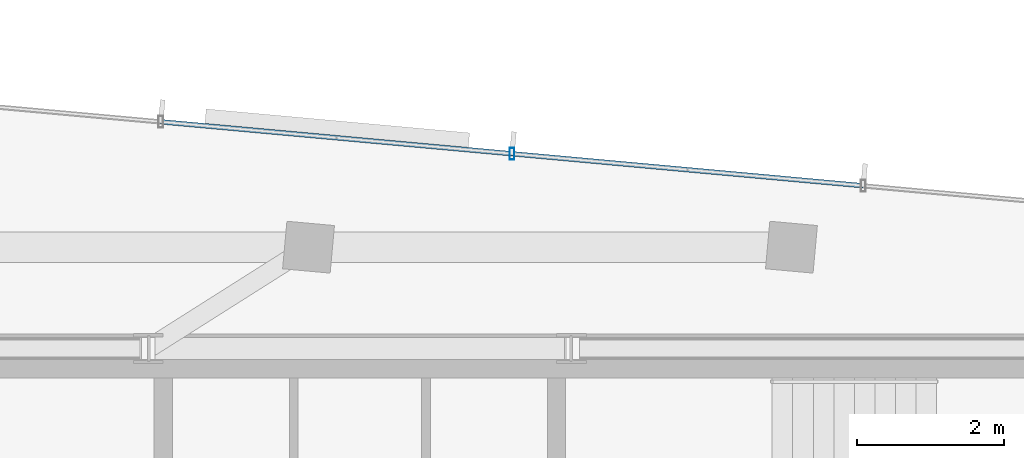
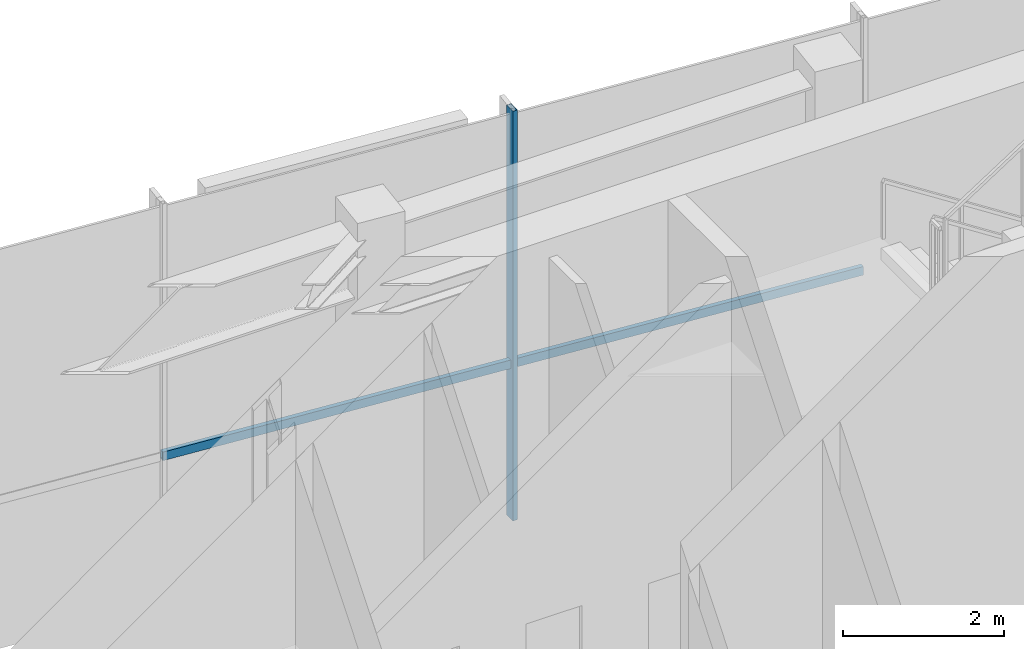
# One storey, part 11 of 19: 3 members, 1 element without a shape of its own.
"""IFC4 building model written with IfcOpenShell, lengths in metres."""

from ifc_helpers import new_model, si_unit, direction, frame, origin, origin_2d, place, context, subcontext, project, spatial, hollow_rectangle, extrude, source, transform, mapped, material, material_profile, profile_set, type_object, type_shapes, element, aggregate, save


model = new_model("IFC4")

# Units and contexts
model_context = context("Model", 3, precision=1e-05, world=origin(), true_north=direction((0.0, 1.0)))
body_context = subcontext(model_context, "Body", "Model", "MODEL_VIEW")
ifc_project = project(units=[si_unit("LENGTHUNIT", "METRE"), si_unit("AREAUNIT", "SQUARE_METRE"), si_unit("VOLUMEUNIT", "CUBIC_METRE"), si_unit("PLANEANGLEUNIT", "RADIAN"), si_unit("MASSUNIT", "GRAM", prefix="KILO")], contexts=[model_context])

# Site, building, storey
site_placement = place(None, origin())
site = spatial("IfcSite", under=ifc_project, at=site_placement, CompositionType="ELEMENT")
building_placement = place(site_placement, origin())
building = spatial("IfcBuilding", under=site, at=building_placement, Name="Astriad Promenade Condominiums", CompositionType="ELEMENT")
storey_placement = place(building_placement, frame((0.0, 0.0, 283.800048828125)))
storey = spatial("IfcBuildingStorey", under=building, at=storey_placement, Name="L79", CompositionType="ELEMENT", Elevation=283.800048828125)

# Curtain wall, members
ifc_material_1 = material(Name="Anodised aluminium Black Dark Glass Unitised", Category="aluminium")
curtain_wall_type = type_object("IfcCurtainWallType", Name="CW-TMD-LANTERN", PredefinedType="USERDEFINED", material=ifc_material_1)
curtain_wall_placement = place(storey_placement, origin())
curtain_wall = element("IfcCurtainWall", 1, at=curtain_wall_placement, inside=storey, type_object=curtain_wall_type, Name="CW-CRN-L79-08", ObjectType="UNITISED_CURTAIN_WALL", PredefinedType="USERDEFINED")
ifc_material_2 = material(Name="Anodised aluminium 6063-T6 Black", Category="aluminium")
ifc_material_profile_1 = material_profile(ifc_material_2, hollow_rectangle(XDim=0.06494140625, YDim=0.159912109375, WallThickness=0.00390625, at=origin_2d()), Name="ALU-MUL-65X160")
ifc_profile_set_1 = profile_set([ifc_material_profile_1], Name="Anodised aluminium 6063-T6 Black")
member_type_1 = type_object("IfcMemberType", Name="MUL-ALU-MUL-65X160", PredefinedType="MULLION", material=ifc_profile_set_1)
shared_shape_1 = source(origin(), body_context, "Body", "SweptSolid", [
    extrude(hollow_rectangle(XDim=0.06494140625, YDim=0.159912109375, WallThickness=0.00390625, at=origin_2d()), origin(), (0.0, 0.0, 1.0), 6.219970703125),
])
type_shapes(member_type_1, [shared_shape_1])
member_1_placement = place(storey_placement, frame((38.06982421875, 26.651611328125, 0.0), z_axis=(0.0, 0.0, 1.0), x_axis=(1.0, 0.0, 0.0)))
member_1 = element("IfcMember", 2, at=member_1_placement, type_object=member_type_1, Name="CW-CRN-L79-08-MUL-04", PredefinedType="MULLION", context=body_context, shape_type="MappedRepresentation", body=[
    mapped(shared_shape_1, transform((0.0, 0.0, 0.0), scale=1.0)),
])
ifc_material_profile_2 = material_profile(ifc_material_2, hollow_rectangle(XDim=0.06494140625, YDim=0.1298828125, WallThickness=0.00390625, at=origin_2d()), Name="ALU-TRN-65X130")
ifc_profile_set_2 = profile_set([ifc_material_profile_2], Name="Anodised aluminium 6063-T6 Black")
member_type_2 = type_object("IfcMemberType", Name="TRN-ALU-TRN-65X130", PredefinedType="USERDEFINED", material=ifc_profile_set_2)
shared_shape_2 = source(origin(), body_context, "Body", "SweptSolid", [
    extrude(hollow_rectangle(XDim=0.06494140625, YDim=0.1298828125, WallThickness=0.00390625, at=origin_2d()), origin(), (0.0, 0.0, 1.0), 4.800048828125),
])
type_shapes(member_type_2, [shared_shape_2])
member_2_placement = place(storey_placement, frame((33.28955078125, 27.086669921875, 2.349853515625), z_axis=(0.995884029465, -0.09063663639, 0.0), x_axis=(0.09063663639, 0.995884029465, 0.0)))
member_2 = element("IfcMember", 3, at=member_2_placement, type_object=member_type_2, Name="CW-CRN-L79-08-TRN-03-0", ObjectType="TRANSOM", PredefinedType="USERDEFINED", context=body_context, shape_type="MappedRepresentation", body=[
    mapped(shared_shape_2, transform((0.0, 0.0, 0.0), scale=1.0)),
])
member_3_placement = place(storey_placement, frame((38.06982421875, 26.651611328125, 2.349853515625), z_axis=(0.995884029465, -0.09063663639, 0.0), x_axis=(0.09063663639, 0.995884029465, 0.0)))
member_3 = element("IfcMember", 4, at=member_3_placement, type_object=member_type_2, Name="CW-CRN-L79-08-TRN-04-0", ObjectType="TRANSOM", PredefinedType="USERDEFINED", context=body_context, shape_type="MappedRepresentation", body=[
    mapped(shared_shape_2, transform((0.0, 0.0, 0.0), scale=1.0)),
])
aggregate(curtain_wall, [member_1, member_2, member_3])

save(model, "model.ifc")
